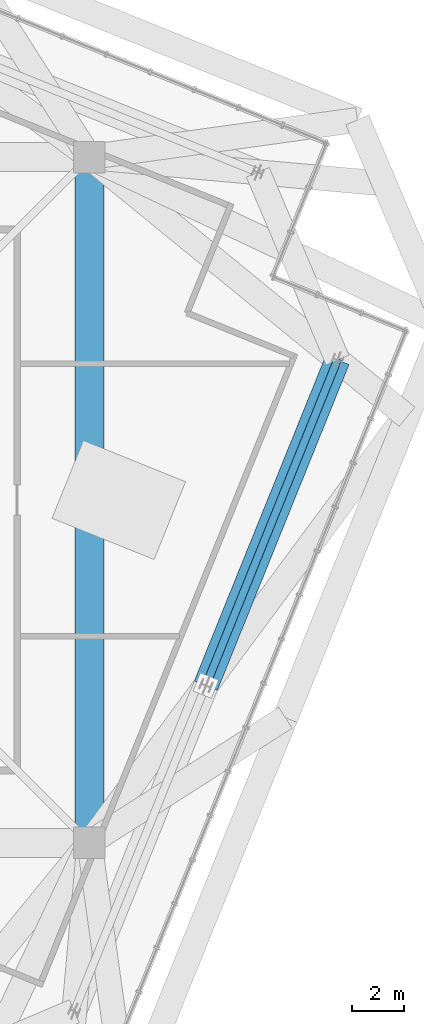
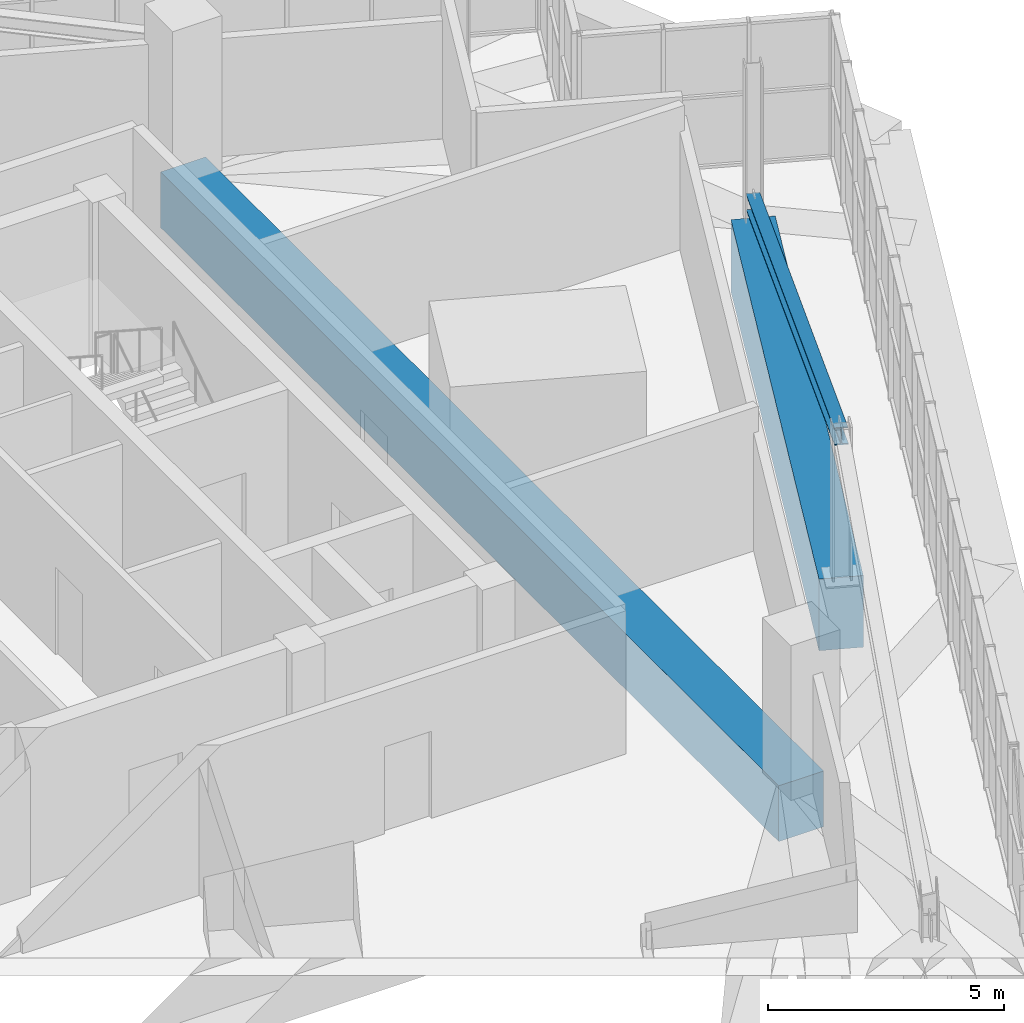
# One storey, part 16 of 35: 2 beams, 1 member.
"""IFC4 building model written with IfcOpenShell, lengths in metres."""

from ifc_helpers import new_model, si_unit, direction, frame, origin, origin_2d, place, context, subcontext, project, spatial, rectangle, i_section, extrude, source, transform, mapped, material, material_profile, profile_set, type_object, element, save


model = new_model("IFC4")

# Units and contexts
model_context = context("Model", 3, precision=1e-05, world=origin(), true_north=direction((0.0, 1.0)))
body_context = subcontext(model_context, "Body", "Model", "MODEL_VIEW")
ifc_project = project(units=[si_unit("LENGTHUNIT", "METRE"), si_unit("AREAUNIT", "SQUARE_METRE"), si_unit("VOLUMEUNIT", "CUBIC_METRE"), si_unit("PLANEANGLEUNIT", "RADIAN"), si_unit("MASSUNIT", "GRAM", prefix="KILO"), si_unit("THERMODYNAMICTEMPERATUREUNIT", "KELVIN")], contexts=[model_context])

# Site, building, storey
site_placement = place(None, origin())
site = spatial("IfcSite", under=ifc_project, at=site_placement, CompositionType="ELEMENT")
building_placement = place(site_placement, origin())
building = spatial("IfcBuilding", under=site, at=building_placement, Name="Kosmvard Interchange Tower", CompositionType="ELEMENT")
storey_placement = place(building_placement, frame((0.0, 0.0, 321.60009765625)))
storey = spatial("IfcBuildingStorey", under=building, at=storey_placement, Name="L79", CompositionType="ELEMENT", Elevation=321.60009765625)

# Beams
ifc_material_1 = material(Name="Concrete C70/85", Category="concrete")
ifc_material_profile_1 = material_profile(ifc_material_1, rectangle(XDim=1.10009765625, YDim=1.43994140625, at=origin_2d()), Name="TG 1100x1440")
ifc_profile_set_1 = profile_set([ifc_material_profile_1], Name="Concrete C70/85")
beam_type_1 = type_object("IfcBeamType", Name="Mega-Frame Transfer Ring Girder 1100x1440 C70/85", PredefinedType="USERDEFINED", material=ifc_profile_set_1)
shared_shape_1 = source(origin(), body_context, "Body", "SweptSolid", [
    extrude(rectangle(XDim=1.10009765625, YDim=1.43994140625, at=origin_2d()), origin(), (0.0, 0.0, 1.0), 26.162109375),
])
beam_1_placement = place(storey_placement, frame((13.0810546875, -13.0810546875, -0.72021484375), z_axis=(0.0, 1.0, 0.0), x_axis=(-1.0, 0.0, 0.0)))
element("IfcBeam", 1, at=beam_1_placement, inside=storey, type_object=beam_type_1, Name="L79 Mega-Column Ring Girder 2", ObjectType="TRANSFER_GIRDER", PredefinedType="USERDEFINED", context=body_context, shape_type="MappedRepresentation", body=[
    mapped(shared_shape_1, transform((0.0, 0.0, 0.0), scale=1.0)),
])
ifc_material_2 = material(Name="Concrete C60/75", Category="concrete")
ifc_material_profile_2 = material_profile(ifc_material_2, rectangle(XDim=0.949951171875, YDim=1.85009765625, at=origin_2d()), Name="TG 950x1850")
ifc_profile_set_2 = profile_set([ifc_material_profile_2], Name="Concrete C60/75")
beam_type_2 = type_object("IfcBeamType", Name="Upper Transfer Ring Girder 950x1850 C60/75", PredefinedType="USERDEFINED", material=ifc_profile_set_2)
shared_shape_2 = source(origin(), body_context, "Body", "SweptSolid", [
    extrude(rectangle(XDim=0.949951171875, YDim=1.85009765625, at=origin_2d()), origin(), (0.0, 0.0, 1.0), 13.400146484375),
])
beam_2_placement = place(storey_placement, frame((17.523681640625, -7.080078125, -0.925048828125), z_axis=(0.374608243744, 0.927183187789, 0.0), x_axis=(-0.927183187789, 0.374608243744, 0.0)))
element("IfcBeam", 2, at=beam_2_placement, inside=storey, type_object=beam_type_2, Name="BM-L79-PR02", ObjectType="TRANSFER_GIRDER", PredefinedType="USERDEFINED", context=body_context, shape_type="MappedRepresentation", body=[
    mapped(shared_shape_2, transform((0.0, 0.0, 0.0), scale=1.0)),
])

# Member
ifc_material_3 = material(Name="Steel S355", Category="steel")
ifc_material_profile_3 = material_profile(ifc_material_3, i_section(OverallWidth=0.300048828125, OverallDepth=0.39990234375, WebThickness=0.013427734375, FlangeThickness=0.02392578125, FilletRadius=0.027099609375, at=origin_2d()), Name="HEB 400")
ifc_profile_set_3 = profile_set([ifc_material_profile_3], Name="Steel S355")
member_type = type_object("IfcMemberType", Name="Lantern Crown Diagrid Brace HEB 400 S355", PredefinedType="BRACE", material=ifc_profile_set_3)
shared_shape_3 = source(origin(), body_context, "Body", "SweptSolid", [
    extrude(i_section(OverallWidth=0.300048828125, OverallDepth=0.39990234375, WebThickness=0.013427734375, FlangeThickness=0.02392578125, FilletRadius=0.027099609375, at=origin_2d()), origin(), (0.0, 0.0, 1.0), 13.783935546875),
])
member_placement = place(storey_placement, frame((22.54345703125, 5.34423828125, 0.419921875), z_axis=(-0.364177999122, -0.901367558742, 0.234330768366), x_axis=(0.927183187789, -0.374608243744, 0.0)))
element("IfcMember", 3, at=member_placement, inside=storey, type_object=member_type, Name="L79 Crown Lantern Diagrid Brace S2", PredefinedType="BRACE", context=body_context, shape_type="MappedRepresentation", body=[
    mapped(shared_shape_3, transform((0.0, 0.0, 0.0), scale=1.0)),
])

save(model, "model.ifc")
